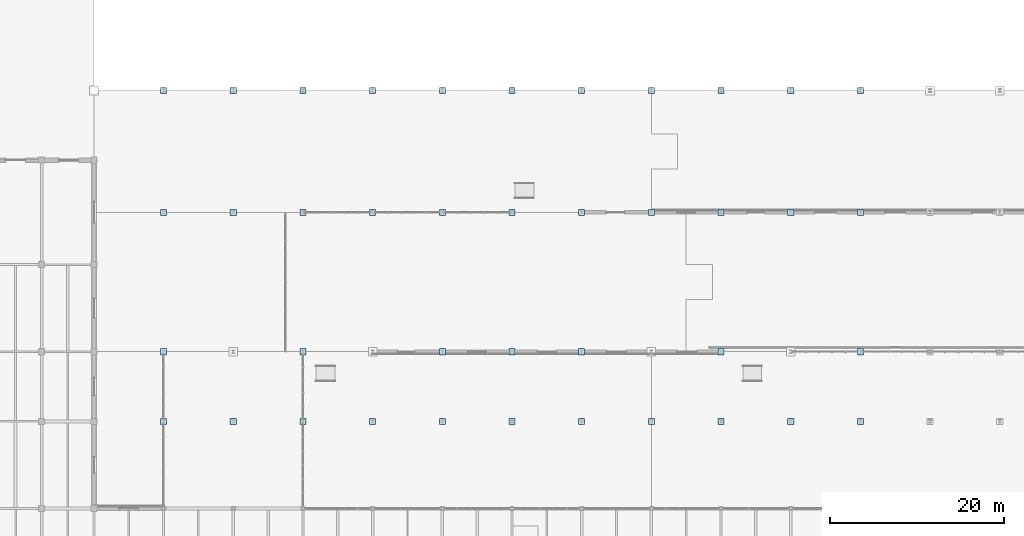
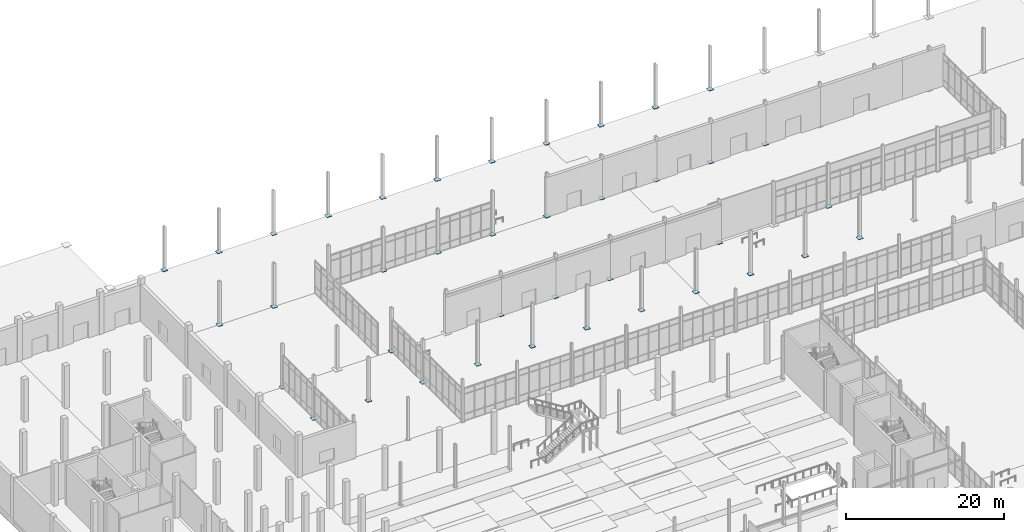
# One storey, part 115 of 140: 40 plates.
"""IFC4 building model written with IfcOpenShell, lengths in metres."""

from ifc_helpers import new_model, si_unit, direction, frame, origin, origin_2d, place, context, subcontext, project, spatial, rectangle, extrude, material, layer, layer_set, type_object, element, save


model = new_model("IFC4")

# Units and contexts
model_context = context("Model", 3, precision=1e-05, world=origin(), true_north=direction((0.0, 1.0)))
body_context = subcontext(model_context, "Body", "Model", "MODEL_VIEW")
ifc_project = project(units=[si_unit("LENGTHUNIT", "METRE"), si_unit("AREAUNIT", "SQUARE_METRE"), si_unit("VOLUMEUNIT", "CUBIC_METRE"), si_unit("PLANEANGLEUNIT", "RADIAN"), si_unit("MASSUNIT", "GRAM", prefix="KILO")], contexts=[model_context])

# Site, building, storey
site_placement = place(None, origin())
site = spatial("IfcSite", under=ifc_project, at=site_placement, CompositionType="ELEMENT")
building_placement = place(site_placement, origin())
building = spatial("IfcBuilding", under=site, at=building_placement, Name="Verrall Gate Interchange", CompositionType="ELEMENT")
storey_placement = place(building_placement, origin())
storey = spatial("IfcBuildingStorey", under=building, at=storey_placement, Name="L01", CompositionType="ELEMENT", Elevation=0.0)

# Plates
ifc_material = material(Name="Structural Steel CSA G40.21 350WT Cat 4", Category="steel")
ifc_layer = layer(ifc_material, 0.0400390625)
ifc_layer_set = layer_set([ifc_layer], Name="Structural Steel CSA G40.21 350WT Cat 4")
plate_type = type_object("IfcPlateType", Name="BP-01 Base Plate 40", PredefinedType="USERDEFINED", material=ifc_layer_set)
for number, where, z_axis, x_axis, name in (
    (1, (60.0, 74.0, 0.0), (0.0, 0.0, 1.0), (1.0, 0.0, 0.0), "Bus Column Base Plate 1530"),
    (2, (108.0, 74.0, 0.0), (0.0, 0.0, 1.0), (1.0, 0.0, 0.0), "Bus Column Base Plate 1532"),
    (3, (44.0, 66.0, 0.0), (0.0, 0.0, 1.0), (1.0, 0.0, 0.0), "Bus Column Base Plate 1534"),
    (4, (52.0, 66.0, 0.0), (0.0, 0.0, 1.0), (1.0, 0.0, 0.0), "Bus Column Base Plate 1536"),
    (5, (60.0, 66.0, 0.0), (0.0, 0.0, 1.0), (1.0, 0.0, 0.0), "Bus Column Base Plate 1538"),
    (6, (68.0, 66.0, 0.0), (0.0, 0.0, 1.0), (1.0, 0.0, 0.0), "Bus Column Base Plate 1540"),
    (7, (76.0, 66.0, 0.0), (0.0, 0.0, 1.0), (1.0, 0.0, 0.0), "Bus Column Base Plate 1542"),
    (8, (84.0, 66.0, 0.0), (0.0, 0.0, 1.0), (1.0, 0.0, 0.0), "Bus Column Base Plate 1544"),
    (9, (92.0, 66.0, 0.0), (0.0, 0.0, 1.0), (1.0, 0.0, 0.0), "Bus Column Base Plate 1546"),
    (10, (100.0, 66.0, 0.0), (0.0, 0.0, 1.0), (1.0, 0.0, 0.0), "Bus Column Base Plate 1548"),
    (11, (108.0, 66.0, 0.0), (0.0, 0.0, 1.0), (1.0, 0.0, 0.0), "Bus Column Base Plate 1550"),
    (12, (116.0, 66.0, 0.0), (0.0, 0.0, 1.0), (1.0, 0.0, 0.0), "Bus Column Base Plate 1552"),
    (13, (124.0, 66.0, 0.0), (0.0, 0.0, 1.0), (1.0, 0.0, 0.0), "Bus Column Base Plate 1554"),
    (14, (44.0, 74.0, 0.0), (0.0, 0.0, 1.0), (1.0, 0.0, 0.0), "Bus Column Base Plate 1564"),
    (15, (76.0, 74.0, 0.0), (0.0, 0.0, 1.0), (1.0, 0.0, 0.0), "Bus Column Base Plate 1566"),
    (16, (84.0, 74.0, 0.0), (0.0, 0.0, 1.0), (1.0, 0.0, 0.0), "Bus Column Base Plate 1568"),
    (17, (92.0, 74.0, 0.0), (0.0, 0.0, 1.0), (1.0, 0.0, 0.0), "Bus Column Base Plate 1570"),
    (18, (124.0, 74.0, 0.0), (0.0, 0.0, 1.0), (1.0, 0.0, 0.0), "Bus Column Base Plate 1572"),
    (19, (44.0, 90.0, 0.0), (0.0, 0.0, 1.0), (1.0, 0.0, 0.0), "Bus Column Base Plate 1582"),
    (20, (52.0, 90.0, 0.0), (0.0, 0.0, 1.0), (1.0, 0.0, 0.0), "Bus Column Base Plate 1584"),
    (21, (60.0, 90.0, 0.0), (0.0, 0.0, 1.0), (1.0, 0.0, 0.0), "Bus Column Base Plate 1586"),
    (22, (68.0, 90.0, 0.0), (0.0, 0.0, 1.0), (1.0, 0.0, 0.0), "Bus Column Base Plate 1588"),
    (23, (76.0, 90.0, 0.0), (0.0, 0.0, 1.0), (1.0, 0.0, 0.0), "Bus Column Base Plate 1590"),
    (24, (84.0, 90.0, 0.0), (0.0, 0.0, 1.0), (1.0, 0.0, 0.0), "Bus Column Base Plate 1592"),
    (25, (92.0, 90.0, 0.0), (0.0, 0.0, 1.0), (1.0, 0.0, 0.0), "Bus Column Base Plate 1594"),
    (26, (100.0, 90.0, 0.0), (0.0, 0.0, 1.0), (1.0, 0.0, 0.0), "Bus Column Base Plate 1596"),
    (27, (108.0, 90.0, 0.0), (0.0, 0.0, 1.0), (1.0, 0.0, 0.0), "Bus Column Base Plate 1598"),
    (28, (116.0, 90.0, 0.0), (0.0, 0.0, 1.0), (1.0, 0.0, 0.0), "Bus Column Base Plate 1600"),
    (29, (124.0, 90.0, 0.0), (0.0, 0.0, 1.0), (1.0, 0.0, 0.0), "Bus Column Base Plate 1602"),
    (30, (44.0, 104.0, 0.0), (0.0, 0.0, 1.0), (1.0, 0.0, 0.0), "Bus Column Base Plate 1612"),
    (31, (52.0, 104.0, 0.0), (0.0, 0.0, 1.0), (1.0, 0.0, 0.0), "Bus Column Base Plate 1614"),
    (32, (60.0, 104.0, 0.0), (0.0, 0.0, 1.0), (1.0, 0.0, 0.0), "Bus Column Base Plate 1616"),
    (33, (68.0, 104.0, 0.0), (0.0, 0.0, 1.0), (1.0, 0.0, 0.0), "Bus Column Base Plate 1618"),
    (34, (76.0, 104.0, 0.0), (0.0, 0.0, 1.0), (1.0, 0.0, 0.0), "Bus Column Base Plate 1620"),
    (35, (84.0, 104.0, 0.0), (0.0, 0.0, 1.0), (1.0, 0.0, 0.0), "Bus Column Base Plate 1622"),
    (36, (92.0, 104.0, 0.0), (0.0, 0.0, 1.0), (1.0, 0.0, 0.0), "Bus Column Base Plate 1624"),
    (37, (100.0, 104.0, 0.0), (0.0, 0.0, 1.0), (1.0, 0.0, 0.0), "Bus Column Base Plate 1626"),
    (38, (108.0, 104.0, 0.0), (0.0, 0.0, 1.0), (1.0, 0.0, 0.0), "Bus Column Base Plate 1628"),
    (39, (116.0, 104.0, 0.0), (0.0, 0.0, 1.0), (1.0, 0.0, 0.0), "Bus Column Base Plate 1630"),
    (40, (124.0, 104.0, 0.0), (0.0, 0.0, 1.0), (1.0, 0.0, 0.0), "Bus Column Base Plate 1632"),
):
    element("IfcPlate", number, at=place(storey_placement, frame(where, z_axis=z_axis, x_axis=x_axis)), inside=storey, type_object=plate_type, Name=name, ObjectType="BASE_PLATE", PredefinedType="USERDEFINED", context=body_context, shape_type="SweptSolid", body=[
        extrude(rectangle(XDim=0.699951171875, YDim=0.699951171875, at=origin_2d()), origin(), (0.0, 0.0, 1.0), 0.0400390625),
    ])

save(model, "model.ifc")
